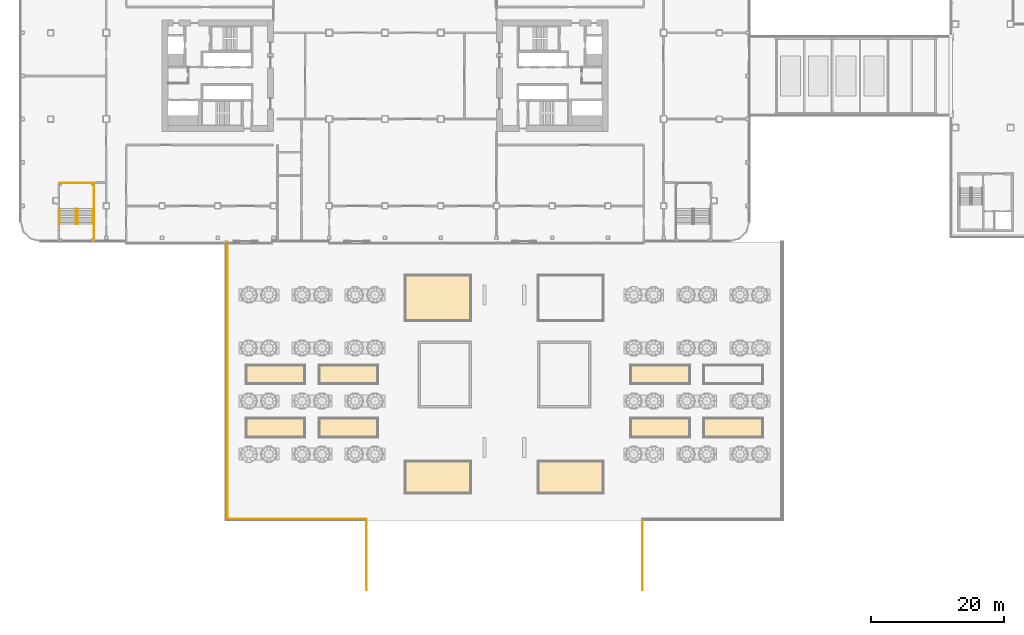
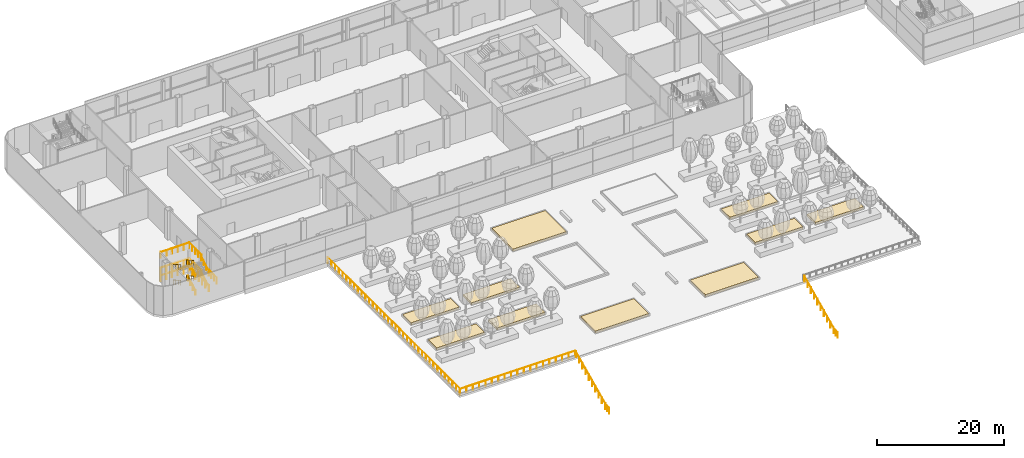
# One storey, part 86 of 100: 17 railings, 10 coverings.
"""IFC4 building model written with IfcOpenShell, lengths in metres."""

from ifc_helpers import new_model, si_unit, direction, frame, origin, origin_2d, place, context, subcontext, project, spatial, polyline, circle, outline, extrude, material, layer, layer_set, type_object, element, save


model = new_model("IFC4")

# Units and contexts
model_context = context("Model", 3, precision=1e-05, world=origin(), true_north=direction((0.0, 1.0)))
body_context = subcontext(model_context, "Body", "Model", "MODEL_VIEW")
ifc_project = project(units=[si_unit("LENGTHUNIT", "METRE"), si_unit("AREAUNIT", "SQUARE_METRE"), si_unit("VOLUMEUNIT", "CUBIC_METRE"), si_unit("PLANEANGLEUNIT", "RADIAN"), si_unit("MASSUNIT", "GRAM", prefix="KILO")], contexts=[model_context])

# Site, building, storey
site_placement = place(None, origin())
site = spatial("IfcSite", under=ifc_project, at=site_placement, CompositionType="ELEMENT")
building_placement = place(site_placement, origin())
building = spatial("IfcBuilding", under=site, at=building_placement, Name="Hakoniwa Tower and Hamabe Station Hall", CompositionType="ELEMENT")
storey_placement = place(building_placement, frame((0.0, 0.0, 9.0)))
storey = spatial("IfcBuildingStorey", under=building, at=storey_placement, Name="L02", CompositionType="ELEMENT", Elevation=9.0)

# Coverings
ifc_material_1 = material(Name="Planting soil and lawn")
ifc_layer_1 = layer(ifc_material_1, 0.39990234375)
ifc_layer_set_1 = layer_set([ifc_layer_1], Name="DECK BED LAWN 400")
covering_type_1 = type_object("IfcCoveringType", Name="DECK BED LAWN 400", PredefinedType="USERDEFINED", material=ifc_layer_set_1)
covering_1_placement = place(storey_placement, origin())
element("IfcCovering", 1, at=covering_1_placement, inside=storey, type_object=covering_type_1, Name="Lawn planting bed 01", ObjectType="PLANTING BED", PredefinedType="USERDEFINED", context=body_context, shape_type="SweptSolid", body=[
    extrude(outline(polyline([(3.14990234375, -62.85009765625), (12.85009765625, -62.85009765625), (12.85009765625, -58.14990234375), (3.14990234375, -58.14990234375), (3.14990234375, -62.85009765625)])), origin(), (0.0, 0.0, 1.0), 0.39990234375),
])
covering_2_placement = place(storey_placement, origin())
element("IfcCovering", 2, at=covering_2_placement, inside=storey, type_object=covering_type_1, Name="Lawn planting bed 02", ObjectType="PLANTING BED", PredefinedType="USERDEFINED", context=body_context, shape_type="SweptSolid", body=[
    extrude(outline(polyline([(23.14990234375, -62.85009765625), (32.85009765625, -62.85009765625), (32.85009765625, -58.14990234375), (23.14990234375, -58.14990234375), (23.14990234375, -62.85009765625)])), origin(), (0.0, 0.0, 1.0), 0.39990234375),
])
covering_3_placement = place(storey_placement, origin())
element("IfcCovering", 3, at=covering_3_placement, inside=storey, type_object=covering_type_1, Name="Lawn planting bed 03", ObjectType="PLANTING BED", PredefinedType="USERDEFINED", context=body_context, shape_type="SweptSolid", body=[
    extrude(outline(polyline([(3.14990234375, -36.85009765625), (12.85009765625, -36.85009765625), (12.85009765625, -30.14990234375), (3.14990234375, -30.14990234375), (3.14990234375, -36.85009765625)])), origin(), (0.0, 0.0, 1.0), 0.39990234375),
])
ifc_material_2 = material(Name="Shrub planting")
ifc_layer_2 = layer(ifc_material_2, 0.39990234375)
ifc_layer_set_2 = layer_set([ifc_layer_2], Name="DECK BED SHRUB 400")
covering_type_2 = type_object("IfcCoveringType", Name="DECK BED SHRUB 400", PredefinedType="USERDEFINED", material=ifc_layer_set_2)
covering_4_placement = place(storey_placement, origin())
element("IfcCovering", 4, at=covering_4_placement, inside=storey, type_object=covering_type_2, Name="Shrub planting bed 05", ObjectType="PLANTING BED", PredefinedType="USERDEFINED", context=body_context, shape_type="SweptSolid", body=[
    extrude(outline(polyline([(-20.85009765625, -54.35009765625), (-12.14990234375, -54.35009765625), (-12.14990234375, -51.64990234375), (-20.85009765625, -51.64990234375), (-20.85009765625, -54.35009765625)])), origin(), (0.0, 0.0, 1.0), 0.39990234375),
])
covering_5_placement = place(storey_placement, origin())
element("IfcCovering", 5, at=covering_5_placement, inside=storey, type_object=covering_type_2, Name="Shrub planting bed 06", ObjectType="PLANTING BED", PredefinedType="USERDEFINED", context=body_context, shape_type="SweptSolid", body=[
    extrude(outline(polyline([(48.14990234375, -54.35009765625), (56.85009765625, -54.35009765625), (56.85009765625, -51.64990234375), (48.14990234375, -51.64990234375), (48.14990234375, -54.35009765625)])), origin(), (0.0, 0.0, 1.0), 0.39990234375),
])
covering_6_placement = place(storey_placement, origin())
element("IfcCovering", 6, at=covering_6_placement, inside=storey, type_object=covering_type_2, Name="Shrub planting bed 07", ObjectType="PLANTING BED", PredefinedType="USERDEFINED", context=body_context, shape_type="SweptSolid", body=[
    extrude(outline(polyline([(-9.85009765625, -54.35009765625), (-1.14990234375, -54.35009765625), (-1.14990234375, -51.64990234375), (-9.85009765625, -51.64990234375), (-9.85009765625, -54.35009765625)])), origin(), (0.0, 0.0, 1.0), 0.39990234375),
])
covering_7_placement = place(storey_placement, origin())
element("IfcCovering", 7, at=covering_7_placement, inside=storey, type_object=covering_type_2, Name="Shrub planting bed 08", ObjectType="PLANTING BED", PredefinedType="USERDEFINED", context=body_context, shape_type="SweptSolid", body=[
    extrude(outline(polyline([(37.14990234375, -54.35009765625), (45.85009765625, -54.35009765625), (45.85009765625, -51.64990234375), (37.14990234375, -51.64990234375), (37.14990234375, -54.35009765625)])), origin(), (0.0, 0.0, 1.0), 0.39990234375),
])
covering_8_placement = place(storey_placement, origin())
element("IfcCovering", 8, at=covering_8_placement, inside=storey, type_object=covering_type_2, Name="Shrub planting bed 09", ObjectType="PLANTING BED", PredefinedType="USERDEFINED", context=body_context, shape_type="SweptSolid", body=[
    extrude(outline(polyline([(-20.85009765625, -46.35009765625), (-12.14990234375, -46.35009765625), (-12.14990234375, -43.64990234375), (-20.85009765625, -43.64990234375), (-20.85009765625, -46.35009765625)])), origin(), (0.0, 0.0, 1.0), 0.39990234375),
])
covering_9_placement = place(storey_placement, origin())
element("IfcCovering", 9, at=covering_9_placement, inside=storey, type_object=covering_type_2, Name="Shrub planting bed 11", ObjectType="PLANTING BED", PredefinedType="USERDEFINED", context=body_context, shape_type="SweptSolid", body=[
    extrude(outline(polyline([(-9.85009765625, -46.35009765625), (-1.14990234375, -46.35009765625), (-1.14990234375, -43.64990234375), (-9.85009765625, -43.64990234375), (-9.85009765625, -46.35009765625)])), origin(), (0.0, 0.0, 1.0), 0.39990234375),
])
covering_10_placement = place(storey_placement, origin())
element("IfcCovering", 10, at=covering_10_placement, inside=storey, type_object=covering_type_2, Name="Shrub planting bed 12", ObjectType="PLANTING BED", PredefinedType="USERDEFINED", context=body_context, shape_type="SweptSolid", body=[
    extrude(outline(polyline([(37.14990234375, -46.35009765625), (45.85009765625, -46.35009765625), (45.85009765625, -43.64990234375), (37.14990234375, -43.64990234375), (37.14990234375, -46.35009765625)])), origin(), (0.0, 0.0, 1.0), 0.39990234375),
])

# Railings
ifc_material_3 = material(Name="Stainless steel and glass", Category="steel")
railing_type_1 = type_object("IfcRailingType", Name="GUARD 1100", PredefinedType="GUARDRAIL", material=ifc_material_3)
railing_1_placement = place(storey_placement, frame((-23.75, -25.0, 0.0)))
element("IfcRailing", 11, at=railing_1_placement, inside=storey, type_object=railing_type_1, Name="Deck guard west edge", PredefinedType="GUARDRAIL", context=body_context, shape_type="SweptSolid", body=[
    extrude(circle(Radius=0.02392578125, at=origin_2d()), frame((0.0, 0.0, 1.076171875), z_axis=(0.0, -1.0, 0.0), x_axis=(1.0, 0.0, 0.0)), (0.0, 0.0, 1.0), 41.75),
    extrude(circle(Radius=0.02392578125, at=origin_2d()), frame((0.0, -41.75, 1.076171875), z_axis=(1.0, 0.0, 0.0), x_axis=(0.0, 1.0, 0.0)), (0.0, 0.0, 1.0), 20.949951171875),
    extrude(circle(Radius=0.02392578125, at=origin_2d()), frame((20.949951171875, -41.75, 1.076171875), z_axis=(0.0, -1.0, 0.0), x_axis=(1.0, 0.0, 0.0)), (0.0, 0.0, 1.0), 0.25),
    extrude(circle(Radius=0.02099609375, at=origin_2d()), origin(), (0.0, 0.0, 1.0), 1.052001953125),
    extrude(circle(Radius=0.02099609375, at=origin_2d()), frame((0.0, -1.19287109375, 0.0)), (0.0, 0.0, 1.0), 1.052001953125),
    extrude(circle(Radius=0.02099609375, at=origin_2d()), frame((0.0, -2.3857421875, 0.0)), (0.0, 0.0, 1.0), 1.052001953125),
    extrude(circle(Radius=0.02099609375, at=origin_2d()), frame((0.0, -3.57861328125, 0.0)), (0.0, 0.0, 1.0), 1.052001953125),
    extrude(circle(Radius=0.02099609375, at=origin_2d()), frame((0.0, -4.771484375, 0.0)), (0.0, 0.0, 1.0), 1.052001953125),
    extrude(circle(Radius=0.02099609375, at=origin_2d()), frame((0.0, -5.96435546875, 0.0)), (0.0, 0.0, 1.0), 1.052001953125),
    extrude(circle(Radius=0.02099609375, at=origin_2d()), frame((0.0, -7.1572265625, 0.0)), (0.0, 0.0, 1.0), 1.052001953125),
    extrude(circle(Radius=0.02099609375, at=origin_2d()), frame((0.0, -8.35009765625, 0.0)), (0.0, 0.0, 1.0), 1.052001953125),
    extrude(circle(Radius=0.02099609375, at=origin_2d()), frame((0.0, -9.54296875, 0.0)), (0.0, 0.0, 1.0), 1.052001953125),
    extrude(circle(Radius=0.02099609375, at=origin_2d()), frame((0.0, -10.735595703125, 0.0)), (0.0, 0.0, 1.0), 1.052001953125),
    extrude(circle(Radius=0.02099609375, at=origin_2d()), frame((0.0, -11.928466796875, 0.0)), (0.0, 0.0, 1.0), 1.052001953125),
    extrude(circle(Radius=0.02099609375, at=origin_2d()), frame((0.0, -13.121337890625, 0.0)), (0.0, 0.0, 1.0), 1.052001953125),
    extrude(circle(Radius=0.02099609375, at=origin_2d()), frame((0.0, -14.314208984375, 0.0)), (0.0, 0.0, 1.0), 1.052001953125),
    extrude(circle(Radius=0.02099609375, at=origin_2d()), frame((0.0, -15.507080078125, 0.0)), (0.0, 0.0, 1.0), 1.052001953125),
    extrude(circle(Radius=0.02099609375, at=origin_2d()), frame((0.0, -16.699951171875, 0.0)), (0.0, 0.0, 1.0), 1.052001953125),
    extrude(circle(Radius=0.02099609375, at=origin_2d()), frame((0.0, -17.892822265625, 0.0)), (0.0, 0.0, 1.0), 1.052001953125),
    extrude(circle(Radius=0.02099609375, at=origin_2d()), frame((0.0, -19.085693359375, 0.0)), (0.0, 0.0, 1.0), 1.052001953125),
    extrude(circle(Radius=0.02099609375, at=origin_2d()), frame((0.0, -20.278564453125, 0.0)), (0.0, 0.0, 1.0), 1.052001953125),
    extrude(circle(Radius=0.02099609375, at=origin_2d()), frame((0.0, -21.471435546875, 0.0)), (0.0, 0.0, 1.0), 1.052001953125),
    extrude(circle(Radius=0.02099609375, at=origin_2d()), frame((0.0, -22.664306640625, 0.0)), (0.0, 0.0, 1.0), 1.052001953125),
    extrude(circle(Radius=0.02099609375, at=origin_2d()), frame((0.0, -23.857177734375, 0.0)), (0.0, 0.0, 1.0), 1.052001953125),
    extrude(circle(Radius=0.02099609375, at=origin_2d()), frame((0.0, -25.050048828125, 0.0)), (0.0, 0.0, 1.0), 1.052001953125),
    extrude(circle(Radius=0.02099609375, at=origin_2d()), frame((0.0, -26.242919921875, 0.0)), (0.0, 0.0, 1.0), 1.052001953125),
    extrude(circle(Radius=0.02099609375, at=origin_2d()), frame((0.0, -27.435791015625, 0.0)), (0.0, 0.0, 1.0), 1.052001953125),
    extrude(circle(Radius=0.02099609375, at=origin_2d()), frame((0.0, -28.628662109375, 0.0)), (0.0, 0.0, 1.0), 1.052001953125),
    extrude(circle(Radius=0.02099609375, at=origin_2d()), frame((0.0, -29.821533203125, 0.0)), (0.0, 0.0, 1.0), 1.052001953125),
    extrude(circle(Radius=0.02099609375, at=origin_2d()), frame((0.0, -31.014404296875, 0.0)), (0.0, 0.0, 1.0), 1.052001953125),
    extrude(circle(Radius=0.02099609375, at=origin_2d()), frame((0.0, -32.20703125, 0.0)), (0.0, 0.0, 1.0), 1.052001953125),
    extrude(circle(Radius=0.02099609375, at=origin_2d()), frame((0.0, -33.39990234375, 0.0)), (0.0, 0.0, 1.0), 1.052001953125),
    extrude(circle(Radius=0.02099609375, at=origin_2d()), frame((0.0, -34.5927734375, 0.0)), (0.0, 0.0, 1.0), 1.052001953125),
    extrude(circle(Radius=0.02099609375, at=origin_2d()), frame((0.0, -35.78564453125, 0.0)), (0.0, 0.0, 1.0), 1.052001953125),
    extrude(circle(Radius=0.02099609375, at=origin_2d()), frame((0.0, -36.978515625, 0.0)), (0.0, 0.0, 1.0), 1.052001953125),
    extrude(circle(Radius=0.02099609375, at=origin_2d()), frame((0.0, -38.17138671875, 0.0)), (0.0, 0.0, 1.0), 1.052001953125),
    extrude(circle(Radius=0.02099609375, at=origin_2d()), frame((0.0, -39.3642578125, 0.0)), (0.0, 0.0, 1.0), 1.052001953125),
    extrude(circle(Radius=0.02099609375, at=origin_2d()), frame((0.0, -40.55712890625, 0.0)), (0.0, 0.0, 1.0), 1.052001953125),
    extrude(circle(Radius=0.02099609375, at=origin_2d()), frame((0.0, -41.75, 0.0)), (0.0, 0.0, 1.0), 1.052001953125),
    extrude(circle(Radius=0.02099609375, at=origin_2d()), frame((1.163818359375, -41.75, 0.0)), (0.0, 0.0, 1.0), 1.052001953125),
    extrude(circle(Radius=0.02099609375, at=origin_2d()), frame((2.327880859375, -41.75, 0.0)), (0.0, 0.0, 1.0), 1.052001953125),
    extrude(circle(Radius=0.02099609375, at=origin_2d()), frame((3.49169921875, -41.75, 0.0)), (0.0, 0.0, 1.0), 1.052001953125),
    extrude(circle(Radius=0.02099609375, at=origin_2d()), frame((4.655517578125, -41.75, 0.0)), (0.0, 0.0, 1.0), 1.052001953125),
    extrude(circle(Radius=0.02099609375, at=origin_2d()), frame((5.8193359375, -41.75, 0.0)), (0.0, 0.0, 1.0), 1.052001953125),
    extrude(circle(Radius=0.02099609375, at=origin_2d()), frame((6.9833984375, -41.75, 0.0)), (0.0, 0.0, 1.0), 1.052001953125),
    extrude(circle(Radius=0.02099609375, at=origin_2d()), frame((8.147216796875, -41.75, 0.0)), (0.0, 0.0, 1.0), 1.052001953125),
    extrude(circle(Radius=0.02099609375, at=origin_2d()), frame((9.31103515625, -41.75, 0.0)), (0.0, 0.0, 1.0), 1.052001953125),
    extrude(circle(Radius=0.02099609375, at=origin_2d()), frame((10.47509765625, -41.75, 0.0)), (0.0, 0.0, 1.0), 1.052001953125),
    extrude(circle(Radius=0.02099609375, at=origin_2d()), frame((11.638916015625, -41.75, 0.0)), (0.0, 0.0, 1.0), 1.052001953125),
    extrude(circle(Radius=0.02099609375, at=origin_2d()), frame((12.802734375, -41.75, 0.0)), (0.0, 0.0, 1.0), 1.052001953125),
    extrude(circle(Radius=0.02099609375, at=origin_2d()), frame((13.966552734375, -41.75, 0.0)), (0.0, 0.0, 1.0), 1.052001953125),
    extrude(circle(Radius=0.02099609375, at=origin_2d()), frame((15.130615234375, -41.75, 0.0)), (0.0, 0.0, 1.0), 1.052001953125),
    extrude(circle(Radius=0.02099609375, at=origin_2d()), frame((16.29443359375, -41.75, 0.0)), (0.0, 0.0, 1.0), 1.052001953125),
    extrude(circle(Radius=0.02099609375, at=origin_2d()), frame((17.458251953125, -41.75, 0.0)), (0.0, 0.0, 1.0), 1.052001953125),
    extrude(circle(Radius=0.02099609375, at=origin_2d()), frame((18.6220703125, -41.75, 0.0)), (0.0, 0.0, 1.0), 1.052001953125),
    extrude(circle(Radius=0.02099609375, at=origin_2d()), frame((19.7861328125, -41.75, 0.0)), (0.0, 0.0, 1.0), 1.052001953125),
    extrude(circle(Radius=0.02099609375, at=origin_2d()), frame((20.949951171875, -41.75, 0.0)), (0.0, 0.0, 1.0), 1.052001953125),
    extrude(circle(Radius=0.02099609375, at=origin_2d()), frame((20.949951171875, -42.0, 0.0)), (0.0, 0.0, 1.0), 1.052001953125),
])
railing_2_placement = place(storey_placement, frame((-2.800048828125, -67.0, 0.0)))
element("IfcRailing", 12, at=railing_2_placement, inside=storey, type_object=railing_type_1, Name="Deck guard west flight-1", PredefinedType="GUARDRAIL", context=body_context, shape_type="SweptSolid", body=[
    extrude(circle(Radius=0.02392578125, at=origin_2d()), frame((0.0, 0.0, 1.076171875), z_axis=(0.0, -0.905455789059, -0.424440589552), x_axis=(1.0, 0.0, 0.0)), (0.0, 0.0, 1.0), 10.2490234375),
    extrude(circle(Radius=0.02392578125, at=origin_2d()), frame((0.0, -9.280029296875, -3.27392578125), z_axis=(0.0, -0.992287191893, -0.123960190401), x_axis=(1.0, 0.0, 0.0)), (0.0, 0.0, 1.0), 1.209228515625),
    extrude(circle(Radius=0.02099609375, at=origin_2d()), origin(), (0.0, 0.0, 1.0), 1.052001953125),
    extrude(circle(Radius=0.02099609375, at=origin_2d()), frame((0.0, -1.031005859375, -0.4833984375)), (0.0, 0.0, 1.0), 1.052001953125),
    extrude(circle(Radius=0.02099609375, at=origin_2d()), frame((0.0, -2.062255859375, -0.966796875)), (0.0, 0.0, 1.0), 1.052001953125),
    extrude(circle(Radius=0.02099609375, at=origin_2d()), frame((0.0, -3.09326171875, -1.449951171875)), (0.0, 0.0, 1.0), 1.052001953125),
    extrude(circle(Radius=0.02099609375, at=origin_2d()), frame((0.0, -4.12451171875, -1.933349609375)), (0.0, 0.0, 1.0), 1.052001953125),
    extrude(circle(Radius=0.02099609375, at=origin_2d()), frame((0.0, -5.155517578125, -2.416748046875)), (0.0, 0.0, 1.0), 1.052001953125),
    extrude(circle(Radius=0.02099609375, at=origin_2d()), frame((0.0, -6.186767578125, -2.900146484375)), (0.0, 0.0, 1.0), 1.052001953125),
    extrude(circle(Radius=0.02099609375, at=origin_2d()), frame((0.0, -7.2177734375, -3.38330078125)), (0.0, 0.0, 1.0), 1.052001953125),
    extrude(circle(Radius=0.02099609375, at=origin_2d()), frame((0.0, -8.2490234375, -3.86669921875)), (0.0, 0.0, 1.0), 1.052001953125),
    extrude(circle(Radius=0.02099609375, at=origin_2d()), frame((0.0, -9.280029296875, -4.35009765625)), (0.0, 0.0, 1.0), 1.052001953125),
    extrude(circle(Radius=0.02099609375, at=origin_2d()), frame((0.0, -9.8798828125, -4.425048828125)), (0.0, 0.0, 1.0), 1.052001953125),
    extrude(circle(Radius=0.02099609375, at=origin_2d()), frame((0.0, -10.47998046875, -4.5)), (0.0, 0.0, 1.0), 1.052001953125),
])
railing_3_placement = place(storey_placement, frame((38.800048828125, -67.0, 0.0)))
element("IfcRailing", 13, at=railing_3_placement, inside=storey, type_object=railing_type_1, Name="Deck guard east flight-1", PredefinedType="GUARDRAIL", context=body_context, shape_type="SweptSolid", body=[
    extrude(circle(Radius=0.02392578125, at=origin_2d()), frame((0.0, 0.0, 1.076171875), z_axis=(0.0, -0.905455789059, -0.424440589552), x_axis=(1.0, 0.0, 0.0)), (0.0, 0.0, 1.0), 10.2490234375),
    extrude(circle(Radius=0.02392578125, at=origin_2d()), frame((0.0, -9.280029296875, -3.27392578125), z_axis=(0.0, -0.992287191893, -0.123960190401), x_axis=(1.0, 0.0, 0.0)), (0.0, 0.0, 1.0), 1.209228515625),
    extrude(circle(Radius=0.02099609375, at=origin_2d()), origin(), (0.0, 0.0, 1.0), 1.052001953125),
    extrude(circle(Radius=0.02099609375, at=origin_2d()), frame((0.0, -1.031005859375, -0.4833984375)), (0.0, 0.0, 1.0), 1.052001953125),
    extrude(circle(Radius=0.02099609375, at=origin_2d()), frame((0.0, -2.062255859375, -0.966796875)), (0.0, 0.0, 1.0), 1.052001953125),
    extrude(circle(Radius=0.02099609375, at=origin_2d()), frame((0.0, -3.09326171875, -1.449951171875)), (0.0, 0.0, 1.0), 1.052001953125),
    extrude(circle(Radius=0.02099609375, at=origin_2d()), frame((0.0, -4.12451171875, -1.933349609375)), (0.0, 0.0, 1.0), 1.052001953125),
    extrude(circle(Radius=0.02099609375, at=origin_2d()), frame((0.0, -5.155517578125, -2.416748046875)), (0.0, 0.0, 1.0), 1.052001953125),
    extrude(circle(Radius=0.02099609375, at=origin_2d()), frame((0.0, -6.186767578125, -2.900146484375)), (0.0, 0.0, 1.0), 1.052001953125),
    extrude(circle(Radius=0.02099609375, at=origin_2d()), frame((0.0, -7.2177734375, -3.38330078125)), (0.0, 0.0, 1.0), 1.052001953125),
    extrude(circle(Radius=0.02099609375, at=origin_2d()), frame((0.0, -8.2490234375, -3.86669921875)), (0.0, 0.0, 1.0), 1.052001953125),
    extrude(circle(Radius=0.02099609375, at=origin_2d()), frame((0.0, -9.280029296875, -4.35009765625)), (0.0, 0.0, 1.0), 1.052001953125),
    extrude(circle(Radius=0.02099609375, at=origin_2d()), frame((0.0, -9.8798828125, -4.425048828125)), (0.0, 0.0, 1.0), 1.052001953125),
    extrude(circle(Radius=0.02099609375, at=origin_2d()), frame((0.0, -10.47998046875, -4.5)), (0.0, 0.0, 1.0), 1.052001953125),
])
railing_4_placement = place(storey_placement, frame((-43.85009765625, -20.010009765625, 1.5)))
element("IfcRailing", 14, at=railing_4_placement, inside=storey, type_object=railing_type_1, Name="Guard at landing PS4 1", PredefinedType="GUARDRAIL", context=body_context, shape_type="SweptSolid", body=[
    extrude(circle(Radius=0.02392578125, at=origin_2d()), frame((0.0, 0.0, 1.076171875), z_axis=(0.0, 1.0, 0.0), x_axis=(-1.0, 0.0, 0.0)), (0.0, 0.0, 1.0), 3.860107421875),
    extrude(circle(Radius=0.02099609375, at=origin_2d()), origin(), (0.0, 0.0, 1.0), 1.052001953125),
    extrude(circle(Radius=0.02099609375, at=origin_2d()), frame((0.0, 0.965087890625, 0.0)), (0.0, 0.0, 1.0), 1.052001953125),
    extrude(circle(Radius=0.02099609375, at=origin_2d()), frame((0.0, 1.93017578125, 0.0)), (0.0, 0.0, 1.0), 1.052001953125),
    extrude(circle(Radius=0.02099609375, at=origin_2d()), frame((0.0, 2.89501953125, 0.0)), (0.0, 0.0, 1.0), 1.052001953125),
    extrude(circle(Radius=0.02099609375, at=origin_2d()), frame((0.0, 3.860107421875, 0.0)), (0.0, 0.0, 1.0), 1.052001953125),
])
railing_5_placement = place(storey_placement, frame((-43.85009765625, -16.14990234375, 1.5)))
element("IfcRailing", 15, at=railing_5_placement, inside=storey, type_object=railing_type_1, Name="Guard at landing PS4 2", PredefinedType="GUARDRAIL", context=body_context, shape_type="SweptSolid", body=[
    extrude(circle(Radius=0.02392578125, at=origin_2d()), frame((0.0, 0.0, 1.076171875), z_axis=(-1.0, 0.0, 0.0), x_axis=(0.0, -1.0, 0.0)), (0.0, 0.0, 1.0), 5.199951171875),
    extrude(circle(Radius=0.02099609375, at=origin_2d()), origin(), (0.0, 0.0, 1.0), 1.052001953125),
    extrude(circle(Radius=0.02099609375, at=origin_2d()), frame((-1.0400390625, 0.0, 0.0)), (0.0, 0.0, 1.0), 1.052001953125),
    extrude(circle(Radius=0.02099609375, at=origin_2d()), frame((-2.080078125, 0.0, 0.0)), (0.0, 0.0, 1.0), 1.052001953125),
    extrude(circle(Radius=0.02099609375, at=origin_2d()), frame((-3.119873046875, 0.0, 0.0)), (0.0, 0.0, 1.0), 1.052001953125),
    extrude(circle(Radius=0.02099609375, at=origin_2d()), frame((-4.159912109375, 0.0, 0.0)), (0.0, 0.0, 1.0), 1.052001953125),
    extrude(circle(Radius=0.02099609375, at=origin_2d()), frame((-5.199951171875, 0.0, 0.0)), (0.0, 0.0, 1.0), 1.052001953125),
])
railing_6_placement = place(storey_placement, frame((-43.85009765625, -24.85009765625, 3.0)))
element("IfcRailing", 16, at=railing_6_placement, inside=storey, type_object=railing_type_1, Name="Guard at landing PS4 3", PredefinedType="GUARDRAIL", context=body_context, shape_type="SweptSolid", body=[
    extrude(circle(Radius=0.02392578125, at=origin_2d()), frame((0.0, 0.0, 1.076171875), z_axis=(0.0, 1.0, 0.0), x_axis=(-1.0, 0.0, 0.0)), (0.0, 0.0, 1.0), 2.5),
    extrude(circle(Radius=0.02099609375, at=origin_2d()), origin(), (0.0, 0.0, 1.0), 1.052001953125),
    extrude(circle(Radius=0.02099609375, at=origin_2d()), frame((0.0, 0.833251953125, 0.0)), (0.0, 0.0, 1.0), 1.052001953125),
    extrude(circle(Radius=0.02099609375, at=origin_2d()), frame((0.0, 1.666748046875, 0.0)), (0.0, 0.0, 1.0), 1.052001953125),
    extrude(circle(Radius=0.02099609375, at=origin_2d()), frame((0.0, 2.5, 0.0)), (0.0, 0.0, 1.0), 1.052001953125),
])
railing_7_placement = place(storey_placement, frame((-43.85009765625, -20.010009765625, 4.5)))
element("IfcRailing", 17, at=railing_7_placement, inside=storey, type_object=railing_type_1, Name="Guard at landing PS4 4", PredefinedType="GUARDRAIL", context=body_context, shape_type="SweptSolid", body=[
    extrude(circle(Radius=0.02392578125, at=origin_2d()), frame((0.0, 0.0, 1.076171875), z_axis=(0.0, 1.0, 0.0), x_axis=(-1.0, 0.0, 0.0)), (0.0, 0.0, 1.0), 3.860107421875),
    extrude(circle(Radius=0.02099609375, at=origin_2d()), origin(), (0.0, 0.0, 1.0), 1.052001953125),
    extrude(circle(Radius=0.02099609375, at=origin_2d()), frame((0.0, 0.965087890625, 0.0)), (0.0, 0.0, 1.0), 1.052001953125),
    extrude(circle(Radius=0.02099609375, at=origin_2d()), frame((0.0, 1.93017578125, 0.0)), (0.0, 0.0, 1.0), 1.052001953125),
    extrude(circle(Radius=0.02099609375, at=origin_2d()), frame((0.0, 2.89501953125, 0.0)), (0.0, 0.0, 1.0), 1.052001953125),
    extrude(circle(Radius=0.02099609375, at=origin_2d()), frame((0.0, 3.860107421875, 0.0)), (0.0, 0.0, 1.0), 1.052001953125),
])
railing_8_placement = place(storey_placement, frame((-43.85009765625, -16.14990234375, 4.5)))
element("IfcRailing", 18, at=railing_8_placement, inside=storey, type_object=railing_type_1, Name="Guard at landing PS4 5", PredefinedType="GUARDRAIL", context=body_context, shape_type="SweptSolid", body=[
    extrude(circle(Radius=0.02392578125, at=origin_2d()), frame((0.0, 0.0, 1.076171875), z_axis=(-1.0, 0.0, 0.0), x_axis=(0.0, -1.0, 0.0)), (0.0, 0.0, 1.0), 5.199951171875),
    extrude(circle(Radius=0.02099609375, at=origin_2d()), origin(), (0.0, 0.0, 1.0), 1.052001953125),
    extrude(circle(Radius=0.02099609375, at=origin_2d()), frame((-1.0400390625, 0.0, 0.0)), (0.0, 0.0, 1.0), 1.052001953125),
    extrude(circle(Radius=0.02099609375, at=origin_2d()), frame((-2.080078125, 0.0, 0.0)), (0.0, 0.0, 1.0), 1.052001953125),
    extrude(circle(Radius=0.02099609375, at=origin_2d()), frame((-3.119873046875, 0.0, 0.0)), (0.0, 0.0, 1.0), 1.052001953125),
    extrude(circle(Radius=0.02099609375, at=origin_2d()), frame((-4.159912109375, 0.0, 0.0)), (0.0, 0.0, 1.0), 1.052001953125),
    extrude(circle(Radius=0.02099609375, at=origin_2d()), frame((-5.199951171875, 0.0, 0.0)), (0.0, 0.0, 1.0), 1.052001953125),
])
railing_9_placement = place(storey_placement, frame((-43.85009765625, -22.340087890625, 0.0)))
element("IfcRailing", 19, at=railing_9_placement, inside=storey, type_object=railing_type_1, Name="Guard at stair well PS4", PredefinedType="GUARDRAIL", context=body_context, shape_type="SweptSolid", body=[
    extrude(circle(Radius=0.02392578125, at=origin_2d()), frame((0.0, 0.0, 1.076171875), z_axis=(0.0, 1.0, 0.0), x_axis=(-1.0, 0.0, 0.0)), (0.0, 0.0, 1.0), 6.190185546875),
    extrude(circle(Radius=0.02392578125, at=origin_2d()), frame((0.0, 6.190185546875, 1.076171875), z_axis=(-1.0, 0.0, 0.0), x_axis=(0.0, -1.0, 0.0)), (0.0, 0.0, 1.0), 5.199951171875),
    extrude(circle(Radius=0.02099609375, at=origin_2d()), origin(), (0.0, 0.0, 1.0), 1.052001953125),
    extrude(circle(Radius=0.02099609375, at=origin_2d()), frame((0.0, 1.03173828125, 0.0)), (0.0, 0.0, 1.0), 1.052001953125),
    extrude(circle(Radius=0.02099609375, at=origin_2d()), frame((0.0, 2.0634765625, 0.0)), (0.0, 0.0, 1.0), 1.052001953125),
    extrude(circle(Radius=0.02099609375, at=origin_2d()), frame((0.0, 3.09521484375, 0.0)), (0.0, 0.0, 1.0), 1.052001953125),
    extrude(circle(Radius=0.02099609375, at=origin_2d()), frame((0.0, 4.126708984375, 0.0)), (0.0, 0.0, 1.0), 1.052001953125),
    extrude(circle(Radius=0.02099609375, at=origin_2d()), frame((0.0, 5.158447265625, 0.0)), (0.0, 0.0, 1.0), 1.052001953125),
    extrude(circle(Radius=0.02099609375, at=origin_2d()), frame((0.0, 6.190185546875, 0.0)), (0.0, 0.0, 1.0), 1.052001953125),
    extrude(circle(Radius=0.02099609375, at=origin_2d()), frame((-1.0400390625, 6.190185546875, 0.0)), (0.0, 0.0, 1.0), 1.052001953125),
    extrude(circle(Radius=0.02099609375, at=origin_2d()), frame((-2.080078125, 6.190185546875, 0.0)), (0.0, 0.0, 1.0), 1.052001953125),
    extrude(circle(Radius=0.02099609375, at=origin_2d()), frame((-3.119873046875, 6.190185546875, 0.0)), (0.0, 0.0, 1.0), 1.052001953125),
    extrude(circle(Radius=0.02099609375, at=origin_2d()), frame((-4.159912109375, 6.190185546875, 0.0)), (0.0, 0.0, 1.0), 1.052001953125),
    extrude(circle(Radius=0.02099609375, at=origin_2d()), frame((-5.199951171875, 6.190185546875, 0.0)), (0.0, 0.0, 1.0), 1.052001953125),
])
ifc_material_4 = material(Name="Stainless steel SUS304", Category="steel")
railing_type_2 = type_object("IfcRailingType", Name="HANDRAIL 900", PredefinedType="HANDRAIL", material=ifc_material_4)
for number, where, name in (
    (20, (-43.89990234375, -22.35009765625, 0.14990234375), "Handrail PS4 1"),
    (21, (-46.300048828125, -22.35009765625, 0.14990234375), "Handrail PS4 2"),
):
    element("IfcRailing", number, at=place(storey_placement, frame(where)), inside=storey, type_object=railing_type_2, Name=name, PredefinedType="HANDRAIL", context=body_context, shape_type="SweptSolid", body=[
        extrude(circle(Radius=0.02392578125, at=origin_2d()), frame((0.0, 0.0, 0.8759765625), z_axis=(0.0, 0.866178063635, 0.499735492113), x_axis=(-1.0, 0.0, 0.0)), (0.0, 0.0, 1.0), 2.70166015625),
        extrude(circle(Radius=0.02099609375, at=origin_2d()), origin(), (0.0, 0.0, 1.0), 0.851806640625),
        extrude(circle(Radius=0.02099609375, at=origin_2d()), frame((0.0, 0.780029296875, 0.449951171875)), (0.0, 0.0, 1.0), 0.851806640625),
        extrude(circle(Radius=0.02099609375, at=origin_2d()), frame((0.0, 1.56005859375, 0.900146484375)), (0.0, 0.0, 1.0), 0.851806640625),
        extrude(circle(Radius=0.02099609375, at=origin_2d()), frame((0.0, 2.340087890625, 1.35009765625)), (0.0, 0.0, 1.0), 0.851806640625),
    ])
for number, where, name in (
    (22, (-46.60009765625, -20.010009765625, 1.64990234375), "Handrail PS4 3"),
    (23, (-49.0, -20.010009765625, 1.64990234375), "Handrail PS4 4"),
):
    element("IfcRailing", number, at=place(storey_placement, frame(where)), inside=storey, type_object=railing_type_2, Name=name, PredefinedType="HANDRAIL", context=body_context, shape_type="SweptSolid", body=[
        extrude(circle(Radius=0.02392578125, at=origin_2d()), frame((0.0, 0.0, 0.8759765625), z_axis=(0.0, -0.866178063635, 0.499735492113), x_axis=(1.0, 0.0, 0.0)), (0.0, 0.0, 1.0), 2.70166015625),
        extrude(circle(Radius=0.02099609375, at=origin_2d()), origin(), (0.0, 0.0, 1.0), 0.851806640625),
        extrude(circle(Radius=0.02099609375, at=origin_2d()), frame((0.0, -0.780029296875, 0.449951171875)), (0.0, 0.0, 1.0), 0.851806640625),
        extrude(circle(Radius=0.02099609375, at=origin_2d()), frame((0.0, -1.56005859375, 0.900146484375)), (0.0, 0.0, 1.0), 0.851806640625),
        extrude(circle(Radius=0.02099609375, at=origin_2d()), frame((0.0, -2.340087890625, 1.35009765625)), (0.0, 0.0, 1.0), 0.851806640625),
    ])
for number, where, name in (
    (24, (-43.89990234375, -22.35009765625, 3.14990234375), "Handrail PS4 5"),
    (25, (-46.300048828125, -22.35009765625, 3.14990234375), "Handrail PS4 6"),
):
    element("IfcRailing", number, at=place(storey_placement, frame(where)), inside=storey, type_object=railing_type_2, Name=name, PredefinedType="HANDRAIL", context=body_context, shape_type="SweptSolid", body=[
        extrude(circle(Radius=0.02392578125, at=origin_2d()), frame((0.0, 0.0, 0.8759765625), z_axis=(0.0, 0.866178063635, 0.499735492113), x_axis=(-1.0, 0.0, 0.0)), (0.0, 0.0, 1.0), 2.70166015625),
        extrude(circle(Radius=0.02099609375, at=origin_2d()), origin(), (0.0, 0.0, 1.0), 0.851806640625),
        extrude(circle(Radius=0.02099609375, at=origin_2d()), frame((0.0, 0.780029296875, 0.449951171875)), (0.0, 0.0, 1.0), 0.851806640625),
        extrude(circle(Radius=0.02099609375, at=origin_2d()), frame((0.0, 1.56005859375, 0.900146484375)), (0.0, 0.0, 1.0), 0.851806640625),
        extrude(circle(Radius=0.02099609375, at=origin_2d()), frame((0.0, 2.340087890625, 1.35009765625)), (0.0, 0.0, 1.0), 0.851806640625),
    ])
for number, where, name in (
    (26, (-46.60009765625, -20.010009765625, 4.64990234375), "Handrail PS4 7"),
    (27, (-49.0, -20.010009765625, 4.64990234375), "Handrail PS4 8"),
):
    element("IfcRailing", number, at=place(storey_placement, frame(where)), inside=storey, type_object=railing_type_2, Name=name, PredefinedType="HANDRAIL", context=body_context, shape_type="SweptSolid", body=[
        extrude(circle(Radius=0.02392578125, at=origin_2d()), frame((0.0, 0.0, 0.8759765625), z_axis=(0.0, -0.866178063635, 0.499735492113), x_axis=(1.0, 0.0, 0.0)), (0.0, 0.0, 1.0), 2.70166015625),
        extrude(circle(Radius=0.02099609375, at=origin_2d()), origin(), (0.0, 0.0, 1.0), 0.851806640625),
        extrude(circle(Radius=0.02099609375, at=origin_2d()), frame((0.0, -0.780029296875, 0.449951171875)), (0.0, 0.0, 1.0), 0.851806640625),
        extrude(circle(Radius=0.02099609375, at=origin_2d()), frame((0.0, -1.56005859375, 0.900146484375)), (0.0, 0.0, 1.0), 0.851806640625),
        extrude(circle(Radius=0.02099609375, at=origin_2d()), frame((0.0, -2.340087890625, 1.35009765625)), (0.0, 0.0, 1.0), 0.851806640625),
    ])

save(model, "model.ifc")
